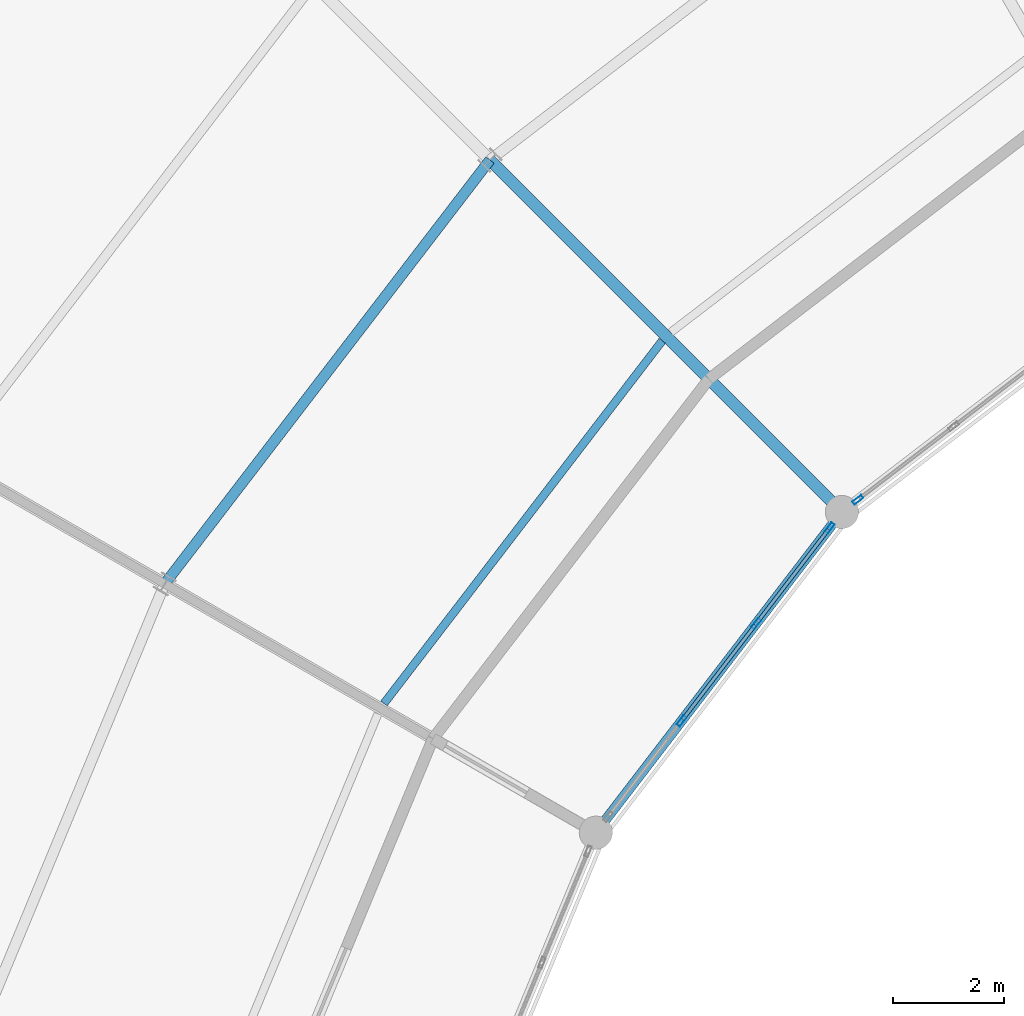
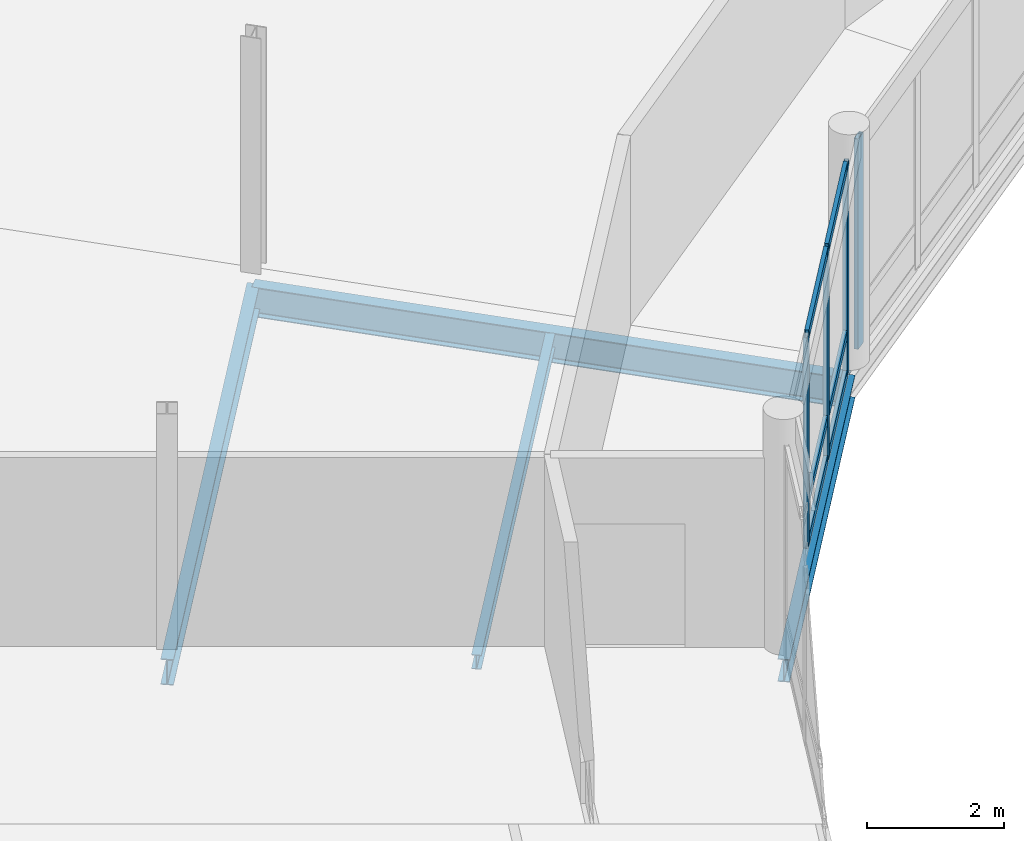
# One storey, part 66 of 170: 10 members, 4 beams, 2 elements without a shape of their own.
"""IFC4 building model written with IfcOpenShell, lengths in metres."""

from ifc_helpers import new_model, si_unit, direction, frame, origin, origin_2d, place, context, subcontext, project, spatial, hollow_rectangle, i_section, extrude, material, material_profile, profile_set, type_object, element, aggregate, save


model = new_model("IFC4")

# Units and contexts
model_context = context("Model", 3, precision=1e-05, world=origin(), true_north=direction((0.0, 1.0)))
body_context = subcontext(model_context, "Body", "Model", "MODEL_VIEW")
ifc_project = project(units=[si_unit("LENGTHUNIT", "METRE"), si_unit("AREAUNIT", "SQUARE_METRE"), si_unit("VOLUMEUNIT", "CUBIC_METRE"), si_unit("PLANEANGLEUNIT", "RADIAN"), si_unit("MASSUNIT", "GRAM", prefix="KILO")], contexts=[model_context])

# Site, building, storey
site_placement = place(None, origin())
site = spatial("IfcSite", under=ifc_project, at=site_placement, CompositionType="ELEMENT")
building_placement = place(site_placement, origin())
building = spatial("IfcBuilding", under=site, at=building_placement, Name="Vondelvale Polytechnic", CompositionType="ELEMENT")
storey_placement = place(building_placement, frame((0.0, 0.0, 5.39990234375)))
storey = spatial("IfcBuildingStorey", under=building, at=storey_placement, Name="L01", CompositionType="ELEMENT", Elevation=5.39990234375)

# Beams
ifc_material_1 = material(Name="Steel 300PLUS (fy = 300 MPa)", Category="steel")
ifc_material_profile_1 = material_profile(ifc_material_1, i_section(OverallWidth=0.177978515625, OverallDepth=0.406005859375, WebThickness=0.0078125, FlangeThickness=0.0126953125, FilletRadius=0.011474609375, at=origin_2d()), Name="410UB59.7")
ifc_profile_set_1 = profile_set([ifc_material_profile_1], Name="Steel 300PLUS (fy = 300 MPa)")
beam_type_1 = type_object("IfcBeamType", Name="BM-UB410", PredefinedType="BEAM", material=ifc_profile_set_1)
beam_1_placement = place(storey_placement, frame((82.200927734375, 91.799072265625, -0.48291015625), z_axis=(-0.608754744979, -0.793358469083, 0.0), x_axis=(0.793358469083, -0.608754744979, 0.0)))
element("IfcBeam", 1, at=beam_1_placement, inside=storey, type_object=beam_type_1, Name="L01 RB B-14", PredefinedType="BEAM", context=body_context, shape_type="SweptSolid", body=[
    extrude(i_section(OverallWidth=0.177978515625, OverallDepth=0.406005859375, WebThickness=0.0078125, FlangeThickness=0.0126953125, FilletRadius=0.011474609375, at=origin_2d()), origin(), (0.0, 0.0, 1.0), 7.3095703125),
])
ifc_material_profile_2 = material_profile(ifc_material_1, i_section(OverallWidth=0.19091796875, OverallDepth=0.4599609375, WebThickness=0.010009765625, FlangeThickness=0.01611328125, FilletRadius=0.011474609375, at=origin_2d()), Name="460UB82.1")
ifc_profile_set_2 = profile_set([ifc_material_profile_2], Name="Steel 300PLUS (fy = 300 MPa)")
beam_type_2 = type_object("IfcBeamType", Name="BM-UB460H", PredefinedType="BEAM", material=ifc_profile_set_2)
beam_2_placement = place(storey_placement, frame((75.8369140625, 98.1630859375, -0.510009765625), z_axis=(-0.60874775518, -0.793363832402, 0.0), x_axis=(0.793363832402, -0.60874775518, 0.0)))
element("IfcBeam", 2, at=beam_2_placement, inside=storey, type_object=beam_type_2, Name="L01 RB B-12", PredefinedType="BEAM", context=body_context, shape_type="SweptSolid", body=[
    extrude(i_section(OverallWidth=0.19091796875, OverallDepth=0.4599609375, WebThickness=0.010009765625, FlangeThickness=0.01611328125, FilletRadius=0.011474609375, at=origin_2d()), origin(), (0.0, 0.0, 1.0), 9.658935546875),
])
ifc_material_profile_3 = material_profile(ifc_material_1, i_section(OverallWidth=0.208984375, OverallDepth=0.532958984375, WebThickness=0.01025390625, FlangeThickness=0.015625, FilletRadius=0.013916015625, at=origin_2d()), Name="530UB92.4")
ifc_profile_set_3 = profile_set([ifc_material_profile_3], Name="Steel 300PLUS (fy = 300 MPa)")
beam_type_3 = type_object("IfcBeamType", Name="BM-UB530", PredefinedType="BEAM", material=ifc_profile_set_3)
beam_3_placement = place(storey_placement, frame((82.200927734375, 91.799072265625, -0.54638671875), z_axis=(-0.707106781187, 0.707106781187, 0.0), x_axis=(-0.707106781187, -0.707106781187, 0.0)))
element("IfcBeam", 3, at=beam_3_placement, inside=storey, type_object=beam_type_3, Name="L01 RG B-11", PredefinedType="BEAM", context=body_context, shape_type="SweptSolid", body=[
    extrude(i_section(OverallWidth=0.208984375, OverallDepth=0.532958984375, WebThickness=0.01025390625, FlangeThickness=0.015625, FilletRadius=0.013916015625, at=origin_2d()), origin(), (0.0, 0.0, 1.0), 9.0),
])

# Curtain wall, member
ifc_material_2 = material(Name="Anodised extruded aluminium 6063-T6", Category="aluminium")
curtain_wall_type = type_object("IfcCurtainWallType", Name="CW-RING-CLOISTER", PredefinedType="NOTDEFINED", material=ifc_material_2)
curtain_wall_1_placement = place(storey_placement, origin())
curtain_wall_1 = element("IfcCurtainWall", 4, at=curtain_wall_1_placement, inside=storey, type_object=curtain_wall_type, Name="L01 architectural curtain wall CW-03-194", PredefinedType="NOTDEFINED")
ifc_material_profile_4 = material_profile(ifc_material_2, hollow_rectangle(XDim=0.070068359375, YDim=0.199951171875, WallThickness=0.00390625, at=origin_2d()), Name="CW-MUL-200x70")
ifc_profile_set_4 = profile_set([ifc_material_profile_4], Name="Anodised extruded aluminium 6063-T6")
member_type_1 = type_object("IfcMemberType", Name="CW-MUL-70x200", PredefinedType="MULLION", material=ifc_profile_set_4)
member_1_placement = place(storey_placement, frame((82.489501953125, 92.0205078125, 0.0), z_axis=(0.0, 0.0, 1.0), x_axis=(0.608747717793, -0.793363861089, 0.0)))
member_1 = element("IfcMember", 5, at=member_1_placement, type_object=member_type_1, Name="CW-03-194 mullion 4", PredefinedType="MULLION", context=body_context, shape_type="SweptSolid", body=[
    extrude(hollow_rectangle(XDim=0.070068359375, YDim=0.199951171875, WallThickness=0.00390625, at=origin_2d()), origin(), (0.0, 0.0, 1.0), 3.75),
])
aggregate(curtain_wall_1, [member_1])

# Curtain wall, members
curtain_wall_2_placement = place(storey_placement, origin())
curtain_wall_2 = element("IfcCurtainWall", 6, at=curtain_wall_2_placement, inside=storey, type_object=curtain_wall_type, Name="L01 architectural curtain wall CW-03-213", PredefinedType="NOTDEFINED")
member_2_placement = place(storey_placement, frame((81.9794921875, 91.510498046875, 0.0), z_axis=(0.0, 0.0, 1.0), x_axis=(0.793363861089, -0.608747717793, 0.0)))
member_2 = element("IfcMember", 7, at=member_2_placement, type_object=member_type_1, Name="CW-03-213 mullion 1", PredefinedType="MULLION", context=body_context, shape_type="SweptSolid", body=[
    extrude(hollow_rectangle(XDim=0.070068359375, YDim=0.199951171875, WallThickness=0.00390625, at=origin_2d()), origin(), (0.0, 0.0, 1.0), 3.75),
])
member_3_placement = place(storey_placement, frame((80.651123046875, 89.779052734375, 0.0), z_axis=(0.0, 0.0, 1.0), x_axis=(0.793363861089, -0.608747717793, 0.0)))
member_3 = element("IfcMember", 8, at=member_3_placement, type_object=member_type_1, Name="CW-03-213 mullion 2", PredefinedType="MULLION", context=body_context, shape_type="SweptSolid", body=[
    extrude(hollow_rectangle(XDim=0.070068359375, YDim=0.199951171875, WallThickness=0.00390625, at=origin_2d()), origin(), (0.0, 0.0, 1.0), 3.75),
])
member_4_placement = place(storey_placement, frame((79.30126953125, 88.02001953125, 0.0), z_axis=(0.0, 0.0, 1.0), x_axis=(0.793363861089, -0.608747717793, 0.0)))
member_4 = element("IfcMember", 9, at=member_4_placement, type_object=member_type_1, Name="CW-03-213 mullion 3", PredefinedType="MULLION", context=body_context, shape_type="SweptSolid", body=[
    extrude(hollow_rectangle(XDim=0.070068359375, YDim=0.199951171875, WallThickness=0.00390625, at=origin_2d()), origin(), (0.0, 0.0, 1.0), 3.75),
])
ifc_material_profile_5 = material_profile(ifc_material_2, hollow_rectangle(XDim=0.06494140625, YDim=0.159912109375, WallThickness=0.00341796875, at=origin_2d()), Name="CW-TRN-160x65")
ifc_profile_set_5 = profile_set([ifc_material_profile_5], Name="Anodised extruded aluminium 6063-T6")
member_type_2 = type_object("IfcMemberType", Name="CW-TRN-70x160", PredefinedType="USERDEFINED", material=ifc_profile_set_5)
member_5_placement = place(storey_placement, frame((81.958251953125, 91.482666015625, 0.03271484375), z_axis=(-0.608766343448, -0.793349569285, 0.0), x_axis=(0.793349569285, -0.608766343448, 0.0)))
member_5 = element("IfcMember", 10, at=member_5_placement, type_object=member_type_2, Name="CW-03-213 transom 1.1", ObjectType="TRANSOM", PredefinedType="USERDEFINED", context=body_context, shape_type="SweptSolid", body=[
    extrude(hollow_rectangle(XDim=0.06494140625, YDim=0.159912109375, WallThickness=0.00341796875, at=origin_2d()), origin(), (0.0, 0.0, 1.0), 2.1123046875),
])
member_6_placement = place(storey_placement, frame((81.958251953125, 91.482666015625, 0.75), z_axis=(-0.608766343448, -0.793349569285, 0.0), x_axis=(0.793349569285, -0.608766343448, 0.0)))
member_6 = element("IfcMember", 11, at=member_6_placement, type_object=member_type_2, Name="CW-03-213 transom 1.2", ObjectType="TRANSOM", PredefinedType="USERDEFINED", context=body_context, shape_type="SweptSolid", body=[
    extrude(hollow_rectangle(XDim=0.06494140625, YDim=0.159912109375, WallThickness=0.00341796875, at=origin_2d()), origin(), (0.0, 0.0, 1.0), 2.1123046875),
])
member_7_placement = place(storey_placement, frame((81.958251953125, 91.482666015625, 3.717529296875), z_axis=(-0.608766343448, -0.793349569285, 0.0), x_axis=(0.793349569285, -0.608766343448, 0.0)))
member_7 = element("IfcMember", 12, at=member_7_placement, type_object=member_type_2, Name="CW-03-213 transom 1.3", ObjectType="TRANSOM", PredefinedType="USERDEFINED", context=body_context, shape_type="SweptSolid", body=[
    extrude(hollow_rectangle(XDim=0.06494140625, YDim=0.159912109375, WallThickness=0.00341796875, at=origin_2d()), origin(), (0.0, 0.0, 1.0), 2.1123046875),
])
member_8_placement = place(storey_placement, frame((80.629638671875, 89.751220703125, 0.03271484375), z_axis=(-0.608732251269, -0.793375728306, 0.0), x_axis=(0.793375728306, -0.608732251269, 0.0)))
member_8 = element("IfcMember", 13, at=member_8_placement, type_object=member_type_2, Name="CW-03-213 transom 2.1", ObjectType="TRANSOM", PredefinedType="USERDEFINED", context=body_context, shape_type="SweptSolid", body=[
    extrude(hollow_rectangle(XDim=0.06494140625, YDim=0.159912109375, WallThickness=0.00341796875, at=origin_2d()), origin(), (0.0, 0.0, 1.0), 2.147216796875),
])
member_9_placement = place(storey_placement, frame((80.629638671875, 89.751220703125, 0.75), z_axis=(-0.608732251269, -0.793375728306, 0.0), x_axis=(0.793375728306, -0.608732251269, 0.0)))
member_9 = element("IfcMember", 14, at=member_9_placement, type_object=member_type_2, Name="CW-03-213 transom 2.2", ObjectType="TRANSOM", PredefinedType="USERDEFINED", context=body_context, shape_type="SweptSolid", body=[
    extrude(hollow_rectangle(XDim=0.06494140625, YDim=0.159912109375, WallThickness=0.00341796875, at=origin_2d()), origin(), (0.0, 0.0, 1.0), 2.147216796875),
])
member_10_placement = place(storey_placement, frame((80.629638671875, 89.751220703125, 3.717529296875), z_axis=(-0.608732251269, -0.793375728306, 0.0), x_axis=(0.793375728306, -0.608732251269, 0.0)))
member_10 = element("IfcMember", 15, at=member_10_placement, type_object=member_type_2, Name="CW-03-213 transom 2.3", ObjectType="TRANSOM", PredefinedType="USERDEFINED", context=body_context, shape_type="SweptSolid", body=[
    extrude(hollow_rectangle(XDim=0.06494140625, YDim=0.159912109375, WallThickness=0.00341796875, at=origin_2d()), origin(), (0.0, 0.0, 1.0), 2.147216796875),
])
aggregate(curtain_wall_2, [member_2, member_3, member_4, member_5, member_6, member_7, member_8, member_9, member_10])

# Beam
ifc_material_profile_6 = material_profile(ifc_material_1, i_section(OverallWidth=0.14599609375, OverallDepth=0.256103515625, WebThickness=0.00634765625, FlangeThickness=0.010986328125, FilletRadius=0.0087890625, at=origin_2d()), Name="250UB37.3")
ifc_profile_set_6 = profile_set([ifc_material_profile_6], Name="Steel 300PLUS (fy = 300 MPa)")
beam_type_4 = type_object("IfcBeamType", Name="JST-UB250", PredefinedType="JOIST", material=ifc_profile_set_6)
beam_4_placement = place(storey_placement, frame((78.951904296875, 94.893798828125, -0.407958984375), z_axis=(-0.608750899721, -0.793361419587, 0.0), x_axis=(0.793361419587, -0.608750899721, 0.0)))
element("IfcBeam", 16, at=beam_4_placement, inside=storey, type_object=beam_type_4, Name="L01 RJ J-06", PredefinedType="JOIST", context=body_context, shape_type="SweptSolid", body=[
    extrude(i_section(OverallWidth=0.14599609375, OverallDepth=0.256103515625, WebThickness=0.00634765625, FlangeThickness=0.010986328125, FilletRadius=0.0087890625, at=origin_2d()), origin(), (0.0, 0.0, 1.0), 8.26416015625),
])

save(model, "model.ifc")
